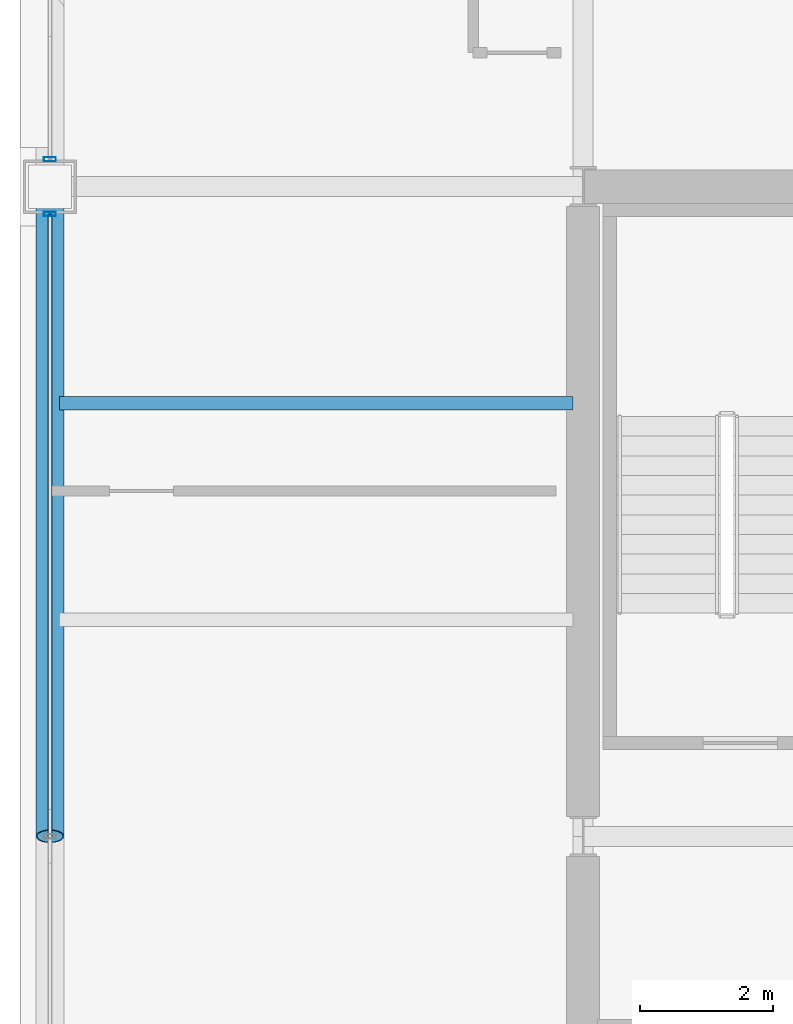
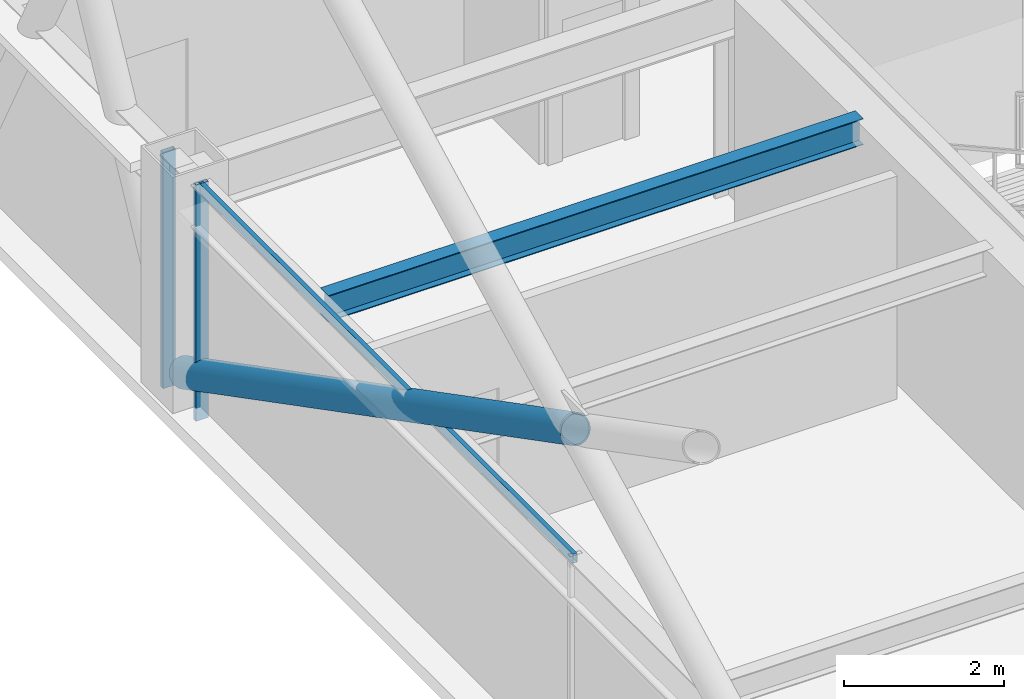
# One storey, part 10 of 33: 4 members, 1 beam, 2 elements without a shape of their own.
"""IFC4 building model written with IfcOpenShell, lengths in metres."""

import ifcopenshell
import ifcopenshell.guid

model = None  # the IFC model being written
_history = None  # IfcOwnerHistory: only IFC2X3 demands one
_inside = {}  # id of a spatial element -> (the spatial element, [elements in it])
_under = {}  # id of a project, library or spatial element -> (it, [spatial elements below it])
_declared = {}  # id of a project -> (the project, [libraries it declares])
_typed = {}  # id of a type object -> (the type object, [elements of that type])
_made_of = {}  # id of a material, layer set ... -> (it, [elements and type objects made of it])


def new_model(schema):
    """Start an empty IFC model of exactly this schema.

    Asked for "IFC4X3", IfcOpenShell would pick the latest addendum, in which some entities
    have other attributes; the version numbers below select the first issue.
    IFC2X3 requires an IfcOwnerHistory on every rooted entity: one is made here for all.
    """
    global model, _history
    if schema == "IFC4X3":
        model = ifcopenshell.file(schema_version=(4, 3, 0, 0))
    else:
        model = ifcopenshell.file(schema=schema)
    _inside.clear()
    _under.clear()
    _declared.clear()
    _typed.clear()
    _made_of.clear()
    _history = None
    if model.schema == "IFC2X3":
        org = make("IfcOrganization", Name="unknown")
        user = make(
            "IfcPersonAndOrganization",
            ThePerson=make("IfcPerson", FamilyName="unknown"),
            TheOrganization=org,
        )
        app = make(
            "IfcApplication",
            ApplicationDeveloper=org,
            Version="unknown",
            ApplicationFullName="unknown",
            ApplicationIdentifier="unknown",
        )
        _history = make(
            "IfcOwnerHistory",
            OwningUser=user,
            OwningApplication=app,
            ChangeAction="ADDED",
            CreationDate=0,
        )
    return model


def make(cls, **values):
    """One entity of the class cls with the attributes given. An attribute that is None is left unset."""
    return model.create_entity(
        cls, **{name: value for name, value in values.items() if value is not None}
    )


def rooted(cls, **values):
    """An entity with a GlobalId (a new one), such as an element, a storey or a relation."""
    return make(cls, GlobalId=ifcopenshell.guid.new(), OwnerHistory=_history, **values)


def si_unit(unit_type, name, prefix=None):
    """IfcSIUnit, for example si_unit("LENGTHUNIT", "METRE", prefix="MILLI")."""
    return make("IfcSIUnit", UnitType=unit_type, Prefix=prefix, Name=name)


def assignment(units):
    """IfcUnitAssignment: the units of a project."""
    return None if units is None else make("IfcUnitAssignment", Units=units)


def point(xyz):
    """IfcCartesianPoint."""
    return None if xyz is None else make("IfcCartesianPoint", Coordinates=xyz)


def direction(xyz):
    """IfcDirection."""
    return None if xyz is None else make("IfcDirection", DirectionRatios=xyz)


def frame(location, z_axis=None, x_axis=None):
    """IfcAxis2Placement3D, a coordinate frame: its origin and axes. An axis left out is left unset."""
    return make(
        "IfcAxis2Placement3D",
        Location=point(location),
        Axis=direction(z_axis),
        RefDirection=direction(x_axis),
    )


def frame_2d(location, x_axis=None):
    """IfcAxis2Placement2D, a coordinate frame in the plane: its origin and x axis."""
    return make(
        "IfcAxis2Placement2D", Location=point(location), RefDirection=direction(x_axis)
    )


def origin():
    """The frame at (0, 0, 0) with its axes left unset."""
    return frame((0.0, 0.0, 0.0))


def origin_2d():
    """The frame at (0, 0) in the plane with its x axis left unset."""
    return frame_2d((0.0, 0.0))


def place(relative_to, where):
    """IfcLocalPlacement: puts the frame where relative to a parent placement (None: the world)."""
    return make(
        "IfcLocalPlacement", PlacementRelTo=relative_to, RelativePlacement=where
    )


def context(
    kind, dimensions, precision=None, world=None, true_north=None, identifier=None
):
    """IfcGeometricRepresentationContext, for example the 3D "Model" context."""
    return make(
        "IfcGeometricRepresentationContext",
        ContextIdentifier=identifier,
        ContextType=kind,
        CoordinateSpaceDimension=dimensions,
        Precision=precision,
        WorldCoordinateSystem=world,
        TrueNorth=true_north,
    )


def subcontext(parent, identifier, kind, view, scale=None):
    """IfcGeometricRepresentationSubContext, for example "Body" below "Model"."""
    return make(
        "IfcGeometricRepresentationSubContext",
        ContextIdentifier=identifier,
        ContextType=kind,
        ParentContext=parent,
        TargetScale=scale,
        TargetView=view,
    )


def project(units=None, contexts=None):
    """IfcProject with its units and contexts."""
    return rooted(
        "IfcProject",
        Name="project",
        RepresentationContexts=contexts,
        UnitsInContext=assignment(units),
    )


def spatial(cls, under=None, at=None, **own):
    """A site, building, storey or space (cls), placed at a placement, below another one or the project."""
    s = rooted(cls, ObjectPlacement=at, **own)
    if under is not None:
        _under.setdefault(under.id(), (under, []))[1].append(s)
    return s


def profile(cls, at=None, kind="AREA", **sizes):
    """A parametric profile (cls). Its sizes go by their IFC names, for example OverallWidth=200.0."""
    return make(cls, ProfileType=kind, Position=at, **sizes)


def hollow_rectangle(**sizes):
    """IfcRectangleHollowProfileDef."""
    return profile("IfcRectangleHollowProfileDef", **sizes)


def hollow_circle(**sizes):
    """IfcCircleHollowProfileDef."""
    return profile("IfcCircleHollowProfileDef", **sizes)


def i_section(**sizes):
    """IfcIShapeProfileDef."""
    return profile("IfcIShapeProfileDef", **sizes)


def extrude(swept, where, along, depth):
    """IfcExtrudedAreaSolid: the profile swept, set in the frame where, extruded along a direction by depth."""
    return make(
        "IfcExtrudedAreaSolid",
        SweptArea=swept,
        Position=where,
        ExtrudedDirection=direction(along),
        Depth=depth,
    )


def shape(context_of_items, identifier, shape_type, items):
    """IfcShapeRepresentation: the items that make up one representation, for example the "Body"."""
    return make(
        "IfcShapeRepresentation",
        ContextOfItems=context_of_items,
        RepresentationIdentifier=identifier,
        RepresentationType=shape_type,
        Items=items,
    )


def material(Name=None, Category=None):
    """IfcMaterial."""
    return make("IfcMaterial", Name=Name, Category=Category)


def layer(
    of_material, thickness, ventilated=None, Name=None, Category=None, Priority=None
):
    """IfcMaterialLayer: one layer of a wall or slab, of a material (None: an air gap)."""
    return make(
        "IfcMaterialLayer",
        Material=of_material,
        LayerThickness=thickness,
        IsVentilated=ventilated,
        Name=Name,
        Category=Category,
        Priority=Priority,
    )


def layer_set(layers, Name=None):
    """IfcMaterialLayerSet."""
    return make("IfcMaterialLayerSet", MaterialLayers=layers, LayerSetName=Name)


def material_profile(
    of_material, cross_section, Name=None, Category=None, Priority=None
):
    """IfcMaterialProfile: a cross section and its material."""
    return make(
        "IfcMaterialProfile",
        Name=Name,
        Material=of_material,
        Profile=cross_section,
        Priority=Priority,
        Category=Category,
    )


def profile_set(profiles, Name=None, composite=None):
    """IfcMaterialProfileSet."""
    return make(
        "IfcMaterialProfileSet",
        Name=Name,
        MaterialProfiles=profiles,
        CompositeProfile=composite,
    )


def made_of(thing, what):
    """Note that an element or type object is made of a material, layer set ...; save() writes the relation."""
    if what is not None:
        _made_of.setdefault(what.id(), (what, []))[1].append(thing)
    return thing


def type_object(cls, material=None, **own):
    """A type object (cls), such as IfcWallType, which elements share."""
    return made_of(rooted(cls, **own), material)


def element(
    cls,
    number,
    at=None,
    inside=None,
    cuts=None,
    type_object=None,
    material=None,
    context=None,
    identifier="Body",
    shape_type=None,
    held_by="IfcProductDefinitionShape",
    body=None,
    shapes=None,
    **own,
):
    """One element of the class cls, such as IfcWall. Its Tag is "e" and its number.

    at: its placement. inside: the storey or other place that contains it. cuts: it is an
    opening in that element (IfcRelVoidsElement). A single representation is given by context,
    identifier, shape_type and body (its items); several are given by shapes. held_by: the class
    of the entity that holds the representations. save() writes the other relations.
    """
    e = rooted(cls, Tag="e%d" % number, ObjectPlacement=at, **own)
    if body is not None:
        shapes = [shape(context, identifier, shape_type, body)]
    if shapes is not None:
        e.Representation = make(held_by, Representations=shapes)
    if inside is not None:
        _inside.setdefault(inside.id(), (inside, []))[1].append(e)
    if cuts is not None:
        rooted(
            "IfcRelVoidsElement", RelatingBuildingElement=cuts, RelatedOpeningElement=e
        )
    if type_object is not None:
        _typed.setdefault(type_object.id(), (type_object, []))[1].append(e)
    return made_of(e, material)


def aggregate(whole, parts):
    """IfcRelAggregates: a whole, such as a stair, and the parts it consists of."""
    return rooted("IfcRelAggregates", RelatingObject=whole, RelatedObjects=parts)


def save(model, path):
    """Write the relations noted so far, then the file.

    IfcRelAggregates (storeys below a building ...), IfcRelContainedInSpatialStructure (elements
    in a storey), IfcRelDefinesByType, IfcRelAssociatesMaterial and IfcRelDeclares: one each for
    every whole, place, type object, material and project.
    """
    for whole, parts in _under.values():
        aggregate(whole, parts)
    for where, things in _inside.values():
        rooted(
            "IfcRelContainedInSpatialStructure",
            RelatedElements=things,
            RelatingStructure=where,
        )
    for kind, things in _typed.values():
        rooted("IfcRelDefinesByType", RelatedObjects=things, RelatingType=kind)
    for what, things in _made_of.values():
        rooted("IfcRelAssociatesMaterial", RelatedObjects=things, RelatingMaterial=what)
    for by, libraries in _declared.values():
        rooted("IfcRelDeclares", RelatingContext=by, RelatedDefinitions=libraries)
    model.write(path)


model = new_model("IFC4")

# Units and contexts
model_context = context("Model", 3, precision=1e-05, world=origin(), true_north=direction((0.0, 1.0)))
body_context = subcontext(model_context, "Body", "Model", "MODEL_VIEW")
ifc_project = project(units=[si_unit("LENGTHUNIT", "METRE"), si_unit("AREAUNIT", "SQUARE_METRE"), si_unit("VOLUMEUNIT", "CUBIC_METRE"), si_unit("PLANEANGLEUNIT", "RADIAN"), si_unit("MASSUNIT", "GRAM", prefix="KILO")], contexts=[model_context])

# Site, building, storey
site_placement = place(None, origin())
site = spatial("IfcSite", under=ifc_project, at=site_placement, CompositionType="ELEMENT")
building_placement = place(site_placement, origin())
building = spatial("IfcBuilding", under=site, at=building_placement, Name="Brelmoor Portico Tower", CompositionType="ELEMENT")
storey_placement = place(building_placement, frame((0.0, 0.0, 120.60009765625)))
storey = spatial("IfcBuildingStorey", under=building, at=storey_placement, Name="L31", CompositionType="ELEMENT", Elevation=120.60009765625)

# Beam
ifc_material_1 = material(Name="Steel Q355B", Category="steel")
ifc_material_profile_1 = material_profile(ifc_material_1, i_section(OverallWidth=0.199951171875, OverallDepth=0.39990234375, WebThickness=0.008056640625, FlangeThickness=0.012939453125, at=origin_2d()), Name="HN 400x200x8x13")
ifc_profile_set_1 = profile_set([ifc_material_profile_1], Name="Steel Q355B")
beam_type = type_object("IfcBeamType", Name="BM-JS-400", PredefinedType="JOIST", material=ifc_profile_set_1)
beam_placement = place(storey_placement, frame((-22.409912109375, 6.5, 3.199951171875), z_axis=(1.0, 0.0, 0.0), x_axis=(0.0, 1.0, 0.0)))
element("IfcBeam", 1, at=beam_placement, inside=storey, type_object=beam_type, Name="L31 Secondary Wing Joist JS-W08", PredefinedType="JOIST", context=body_context, shape_type="SweptSolid", body=[
    extrude(i_section(OverallWidth=0.199951171875, OverallDepth=0.39990234375, WebThickness=0.008056640625, FlangeThickness=0.012939453125, at=origin_2d()), origin(), (0.0, 0.0, 1.0), 7.7099609375),
])

# Member
ifc_material_profile_2 = material_profile(ifc_material_1, hollow_circle(Radius=0.212890625, WallThickness=0.02001953125, at=origin_2d()), Name="CHS 426x20")
ifc_profile_set_2 = profile_set([ifc_material_profile_2], Name="Steel Q355B")
member_type_1 = type_object("IfcMemberType", Name="MB-BELT-DIAG1", PredefinedType="BRACE", material=ifc_profile_set_2)
member_1_placement = place(storey_placement, frame((-22.550048828125, 9.75, 0.25), z_axis=(0.0, -0.887968466347, 0.459904340894), x_axis=(1.0, 0.0, 0.0)))
element("IfcMember", 2, at=member_1_placement, inside=storey, type_object=member_type_1, Name="L31 Split Mega-X Brace 070B1", PredefinedType="BRACE", context=body_context, shape_type="SweptSolid", body=[
    extrude(hollow_circle(Radius=0.212890625, WallThickness=0.02001953125, at=origin_2d()), origin(), (0.0, 0.0, 1.0), 10.980224609375),
])

# Curtain wall, member
ifc_material_2 = material(Name="Anodised Aluminium Alloy 6063-T6", Category="aluminium")
ifc_layer = layer(ifc_material_2, 0.179931640625)
ifc_layer_set = layer_set([ifc_layer], Name="Anodised Aluminium Alloy 6063-T6")
curtain_wall_type = type_object("IfcCurtainWallType", Name="CW-TOWER-Z2-XB", PredefinedType="NOTDEFINED", material=ifc_layer_set)
curtain_wall_1_placement = place(storey_placement, origin())
curtain_wall_1 = element("IfcCurtainWall", 3, at=curtain_wall_1_placement, inside=storey, type_object=curtain_wall_type, Name="L31 Curtain Wall CW-L31-03-2", PredefinedType="NOTDEFINED")
ifc_material_profile_3 = material_profile(ifc_material_2, hollow_rectangle(XDim=0.06494140625, YDim=0.179931640625, WallThickness=0.00390625, at=origin_2d()), Name="ALU MULLION 65x180")
ifc_profile_set_3 = profile_set([ifc_material_profile_3], Name="Anodised Aluminium Alloy 6063-T6")
member_type_2 = type_object("IfcMemberType", Name="MB-CW-MULL-180", PredefinedType="MULLION", material=ifc_profile_set_3)
member_2_placement = place(storey_placement, frame((-22.550048828125, 9.340087890625, -0.2001953125), z_axis=(0.0, 0.0, 1.0), x_axis=(0.0, 1.0, 0.0)))
member_2 = element("IfcMember", 4, at=member_2_placement, type_object=member_type_2, Name="CW-L31-03-2 Mullion 02", PredefinedType="MULLION", context=body_context, shape_type="SweptSolid", body=[
    extrude(hollow_rectangle(XDim=0.06494140625, YDim=0.179931640625, WallThickness=0.00390625, at=origin_2d()), origin(), (0.0, 0.0, 1.0), 3.60009765625),
])

curtain_wall_2_placement = place(storey_placement, origin())
curtain_wall_2 = element("IfcCurtainWall", 5, at=curtain_wall_2_placement, inside=storey, type_object=curtain_wall_type, Name="L31 Curtain Wall CW-L31-03-3", PredefinedType="NOTDEFINED")
member_3_placement = place(storey_placement, frame((-22.550048828125, 10.159912109375, -0.2001953125), z_axis=(0.0, 0.0, 1.0), x_axis=(0.0, 1.0, 0.0)))
member_3 = element("IfcMember", 6, at=member_3_placement, type_object=member_type_2, Name="CW-L31-03-3 Mullion 00", PredefinedType="MULLION", context=body_context, shape_type="SweptSolid", body=[
    extrude(hollow_rectangle(XDim=0.06494140625, YDim=0.179931640625, WallThickness=0.00390625, at=origin_2d()), origin(), (0.0, 0.0, 1.0), 3.60009765625),
])
aggregate(curtain_wall_2, [member_3])

# Member
ifc_material_profile_4 = material_profile(ifc_material_2, hollow_rectangle(XDim=0.06494140625, YDim=0.139892578125, WallThickness=0.00390625, at=origin_2d()), Name="ALU TRANSOM 65x140")
ifc_profile_set_4 = profile_set([ifc_material_profile_4], Name="Anodised Aluminium Alloy 6063-T6")
member_type_3 = type_object("IfcMemberType", Name="MB-CW-TRAN-140", PredefinedType="USERDEFINED", material=ifc_profile_set_4)
member_4_placement = place(storey_placement, frame((-22.550048828125, 0.0, 3.329833984375), z_axis=(0.0, 1.0, 0.0), x_axis=(-1.0, 0.0, 0.0)))
member_4 = element("IfcMember", 7, at=member_4_placement, type_object=member_type_3, Name="CW-L31-03-2 Transom 1-01", ObjectType="TRANSOM", PredefinedType="USERDEFINED", context=body_context, shape_type="SweptSolid", body=[
    extrude(hollow_rectangle(XDim=0.06494140625, YDim=0.139892578125, WallThickness=0.00390625, at=origin_2d()), origin(), (0.0, 0.0, 1.0), 9.340087890625),
])

aggregate(curtain_wall_1, [member_2, member_4])

save(model, "model.ifc")
